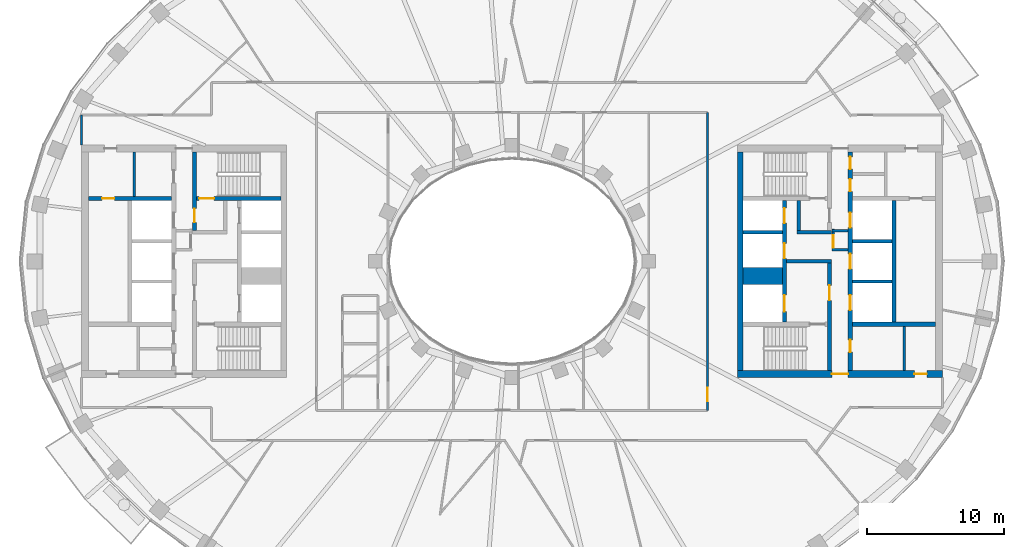
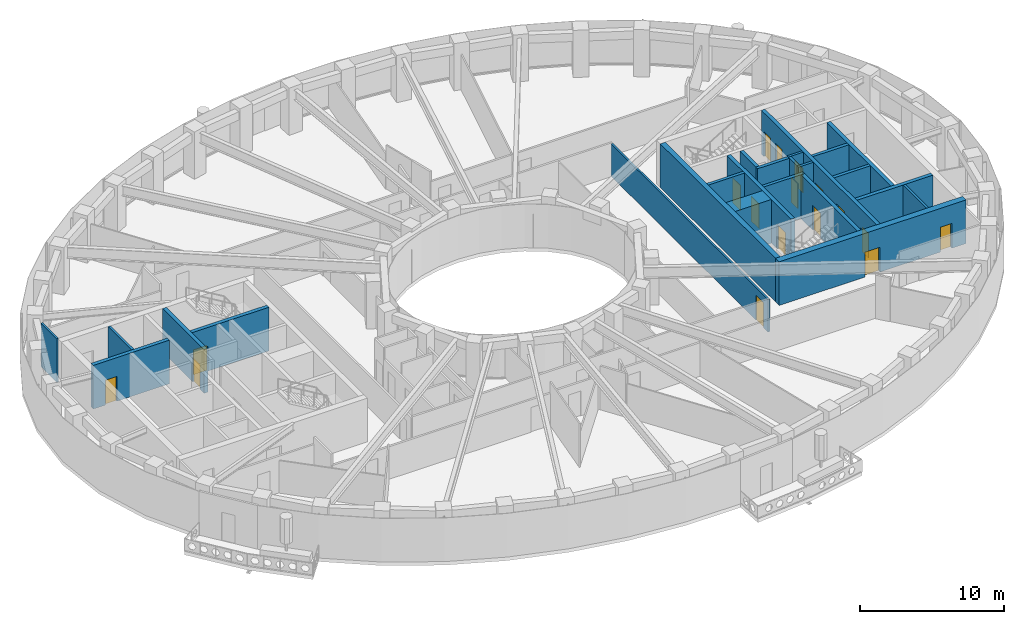
# One storey, part 5 of 16: 24 walls, 17 doors, 17 openings.
"""IFC4 building model written with IfcOpenShell, lengths in metres."""

from ifc_helpers import new_model, si_unit, direction, frame, frame_2d, origin, place, context, subcontext, project, spatial, rectangle, extrude, material, layer, layer_set, type_object, element, fill, save


model = new_model("IFC4")

# Units and contexts
model_context = context("Model", 3, precision=1e-05, world=origin(), true_north=direction((0.0, 1.0)))
body_context = subcontext(model_context, "Body", "Model", "MODEL_VIEW")
ifc_project = project(units=[si_unit("LENGTHUNIT", "METRE"), si_unit("AREAUNIT", "SQUARE_METRE"), si_unit("VOLUMEUNIT", "CUBIC_METRE"), si_unit("PLANEANGLEUNIT", "RADIAN"), si_unit("MASSUNIT", "GRAM", prefix="KILO")], contexts=[model_context])

# Site, building, storey
site_placement = place(None, origin())
site = spatial("IfcSite", under=ifc_project, at=site_placement, CompositionType="ELEMENT")
building_placement = place(site_placement, origin())
building = spatial("IfcBuilding", under=site, at=building_placement, Name="Noorbagh Ring Tower", CompositionType="ELEMENT")
storey_placement = place(building_placement, frame((0.0, 0.0, 257.5)))
storey = spatial("IfcBuildingStorey", under=building, at=storey_placement, Name="L54", CompositionType="ELEMENT", Elevation=257.5)

# Walls
ifc_material_1 = material(Name="Gypsum board on steel studs", Category="steel")
ifc_layer_1 = layer(ifc_material_1, 0.199951171875)
ifc_layer_set_1 = layer_set([ifc_layer_1], Name="Gypsum board on steel studs")
wall_type_1 = type_object("IfcWallType", Name="CORE-PARTITION-200", PredefinedType="PARTITIONING", material=ifc_layer_set_1)
wall_1_placement = place(storey_placement, frame((-27.64990234375, 4.75, 0.0), z_axis=(0.0, 0.0, 1.0), x_axis=(0.0, 1.0, 0.0)))
element("IfcWall", 1, at=wall_1_placement, inside=storey, type_object=wall_type_1, Name="Core partition W", PredefinedType="PARTITIONING", context=body_context, shape_type="SweptSolid", body=[
    extrude(rectangle(XDim=3.25, YDim=0.199951171875, at=frame_2d((1.625, 0.0))), origin(), (0.0, 0.0, 1.0), 3.699951171875),
])
for number, where, z_axis, x_axis, name in (
    (2, (23.39990234375, 0.85009765625, 0.0), (0.0, 0.0, 1.0), (1.0, 0.0, 0.0), "Core partition E"),
    (3, (23.39990234375, 2.25, 0.0), (0.0, 0.0, 1.0), (1.0, 0.0, 0.0), "Core partition E"),
):
    element("IfcWall", number, at=place(storey_placement, frame(where, z_axis=z_axis, x_axis=x_axis)), inside=storey, type_object=wall_type_1, Name=name, PredefinedType="PARTITIONING", context=body_context, shape_type="SweptSolid", body=[
        extrude(rectangle(XDim=1.2001953125, YDim=0.199951171875, at=frame_2d((0.60009765625, 0.0))), origin(), (0.0, 0.0, 1.0), 3.699951171875),
    ])

# Wall, opening, door
wall_2_placement = place(storey_placement, frame((23.5, 0.75, 0.0), z_axis=(0.0, 0.0, 1.0), x_axis=(0.0, 1.0, 0.0)))
wall_2 = element("IfcWall", 4, at=wall_2_placement, inside=storey, type_object=wall_type_1, Name="Core partition E", PredefinedType="PARTITIONING", context=body_context, shape_type="SweptSolid", body=[
    extrude(rectangle(XDim=1.60009765625, YDim=0.199951171875, at=frame_2d((0.800048828125, 0.0))), origin(), (0.0, 0.0, 1.0), 3.699951171875),
])
opening_1_placement = place(wall_2_placement, frame((0.25, 0.0, 0.0)))
opening_1 = element("IfcOpeningElement", 5, at=opening_1_placement, cuts=wall_2, Name="Opening L54-CE18", PredefinedType="OPENING", context=body_context, shape_type="SweptSolid", body=[
    extrude(rectangle(XDim=0.89990234375, YDim=2.10009765625, at=frame_2d((0.449951171875, 1.050048828125))), frame((0.0, 0.10986328125, 0.0), z_axis=(0.0, -1.0, 0.0), x_axis=(1.0, 0.0, 0.0)), (0.0, 0.0, 1.0), 0.219970703125),
])
ifc_material_2 = material(Name="Steel door leaf", Category="steel")
door_type_1 = type_object("IfcDoorType", Name="CORE-DOOR-DROOM", OperationType="SINGLE_SWING_LEFT", PredefinedType="DOOR", material=ifc_material_2)
door_1_placement = place(opening_1_placement, origin())
door_1 = element("IfcDoor", 6, at=door_1_placement, inside=storey, type_object=door_type_1, Name="Core room door L54-CE18", OperationType="SINGLE_SWING_LEFT", OverallHeight=2.10009765625, OverallWidth=0.89990234375, PredefinedType="DOOR", context=body_context, shape_type="SweptSolid", body=[
    extrude(rectangle(XDim=0.89990234375, YDim=2.10009765625, at=frame_2d((0.449951171875, 1.050048828125))), frame((0.0, 0.02490234375, 0.0), z_axis=(0.0, -1.0, 0.0), x_axis=(1.0, 0.0, 0.0)), (0.0, 0.0, 1.0), 0.050048828125),
])
fill(opening_1, door_1)

# Walls
wall_3_placement = place(storey_placement, frame((28.699951171875, -8.0, 0.0), z_axis=(0.0, 0.0, 1.0), x_axis=(0.0, 1.0, 0.0)))
element("IfcWall", 7, at=wall_3_placement, inside=storey, type_object=wall_type_1, Name="Core partition E", PredefinedType="PARTITIONING", context=body_context, shape_type="SweptSolid", body=[
    extrude(rectangle(XDim=3.25, YDim=0.199951171875, at=frame_2d((1.625, 0.0))), origin(), (0.0, 0.0, 1.0), 3.699951171875),
])
ifc_material_3 = material(Name="Concrete C60/75", Category="concrete")
ifc_layer_2 = layer(ifc_material_3, 1.25)
ifc_layer_set_2 = layer_set([ifc_layer_2], Name="Concrete C60/75")
wall_type_2 = type_object("IfcWallType", Name="CORE-WALL-1250-C60-75-EI120", PredefinedType="SHEAR", material=ifc_layer_set_2)
wall_4_placement = place(storey_placement, frame((16.89990234375, -1.074951171875, 0.0), z_axis=(0.0, 0.0, 1.0), x_axis=(1.0, 0.0, 0.0)))
element("IfcWall", 8, at=wall_4_placement, inside=storey, type_object=wall_type_2, Name="Core wall E", PredefinedType="SHEAR", context=body_context, shape_type="SweptSolid", body=[
    extrude(rectangle(XDim=2.900146484375, YDim=1.25, at=frame_2d((1.4501953125, 0.0))), origin(), (0.0, 0.0, 1.0), 3.699951171875),
])
ifc_material_4 = material(Name="Concrete C60/75", Category="concrete")
ifc_layer_3 = layer(ifc_material_4, 0.25)
ifc_layer_set_3 = layer_set([ifc_layer_3], Name="Concrete C60/75")
wall_type_3 = type_object("IfcWallType", Name="CORE-WALL-250-C60-75-EI120", PredefinedType="SHEAR", material=ifc_layer_set_3)
for number, where, z_axis, x_axis, name in (
    (9, (16.89990234375, 2.125, 0.0), (0.0, 0.0, 1.0), (1.0, 0.0, 0.0), "Core wall E"),
    (10, (24.89990234375, -1.47509765625, 0.0), (0.0, 0.0, 1.0), (1.0, 0.0, 0.0), "Core wall E"),
    (11, (24.89990234375, 1.47509765625, 0.0), (0.0, 0.0, 1.0), (1.0, 0.0, 0.0), "Core wall E"),
):
    element("IfcWall", number, at=place(storey_placement, frame(where, z_axis=z_axis, x_axis=x_axis)), inside=storey, type_object=wall_type_3, Name=name, PredefinedType="SHEAR", context=body_context, shape_type="SweptSolid", body=[
        extrude(rectangle(XDim=2.900146484375, YDim=0.25, at=frame_2d((1.4501953125, 0.0))), origin(), (0.0, 0.0, 1.0), 3.699951171875),
    ])
ifc_material_5 = material(Name="Concrete C60/75", Category="concrete")
ifc_layer_4 = layer(ifc_material_5, 0.25)
ifc_layer_set_4 = layer_set([ifc_layer_4], Name="Concrete C60/75")
wall_type_4 = type_object("IfcWallType", Name="CORE-WALL-250-C60-75-EI240", PredefinedType="SHEAR", material=ifc_layer_set_4)
wall_5_placement = place(storey_placement, frame((20.10009765625, 0.0, 0.0), z_axis=(0.0, 0.0, 1.0), x_axis=(1.0, 0.0, 0.0)))
element("IfcWall", 12, at=wall_5_placement, inside=storey, type_object=wall_type_4, Name="Core wall E", PredefinedType="SHEAR", context=body_context, shape_type="SweptSolid", body=[
    extrude(rectangle(XDim=3.27978515625, YDim=0.25, at=frame_2d((1.639892578125, 0.0))), origin(), (0.0, 0.0, 1.0), 3.699951171875),
])
wall_6_placement = place(storey_placement, frame((20.85009765625, 2.125, 0.0), z_axis=(0.0, 0.0, 1.0), x_axis=(1.0, 0.0, 0.0)))
element("IfcWall", 13, at=wall_6_placement, inside=storey, type_object=wall_type_4, Name="Core wall E", PredefinedType="SHEAR", context=body_context, shape_type="SweptSolid", body=[
    extrude(rectangle(XDim=2.52978515625, YDim=0.25, at=frame_2d((1.264892578125, 0.0))), origin(), (0.0, 0.0, 1.0), 3.699951171875),
])
wall_7_placement = place(storey_placement, frame((20.97509765625, 2.25, 0.0), z_axis=(0.0, 0.0, 1.0), x_axis=(0.0, 1.0, 0.0)))
element("IfcWall", 14, at=wall_7_placement, inside=storey, type_object=wall_type_4, Name="Core wall E", PredefinedType="SHEAR", context=body_context, shape_type="SweptSolid", body=[
    extrude(rectangle(XDim=2.199951171875, YDim=0.25, at=frame_2d((1.10009765625, 0.0))), origin(), (0.0, 0.0, 1.0), 3.699951171875),
])
ifc_material_6 = material(Name="Concrete C60/75", Category="concrete")
ifc_layer_5 = layer(ifc_material_6, 0.300048828125)
ifc_layer_set_5 = layer_set([ifc_layer_5], Name="Concrete C60/75")
wall_type_5 = type_object("IfcWallType", Name="CORE-WALL-300-C60-75-EI120", PredefinedType="SHEAR", material=ifc_layer_set_5)
wall_8_placement = place(storey_placement, frame((27.949951171875, -4.449951171875, 0.0), z_axis=(0.0, 0.0, 1.0), x_axis=(0.0, 1.0, 0.0)))
element("IfcWall", 15, at=wall_8_placement, inside=storey, type_object=wall_type_5, Name="Core wall E", PredefinedType="SHEAR", context=body_context, shape_type="SweptSolid", body=[
    extrude(rectangle(XDim=8.89990234375, YDim=0.300048828125, at=frame_2d((4.449951171875, 0.0))), origin(), (0.0, 0.0, 1.0), 3.699951171875),
])

# Wall, openings, doors
wall_9_placement = place(storey_placement, frame((19.949951171875, -4.449951171875, 0.0), z_axis=(0.0, 0.0, 1.0), x_axis=(0.0, 1.0, 0.0)))
wall_9 = element("IfcWall", 16, at=wall_9_placement, inside=storey, type_object=wall_type_5, Name="Core wall E", PredefinedType="SHEAR", context=body_context, shape_type="SweptSolid", body=[
    extrude(rectangle(XDim=8.89990234375, YDim=0.300048828125, at=frame_2d((4.449951171875, 0.0))), origin(), (0.0, 0.0, 1.0), 3.699951171875),
])
opening_2_placement = place(wall_9_placement, frame((0.77490234375, 0.0, 0.0)))
opening_2 = element("IfcOpeningElement", 17, at=opening_2_placement, cuts=wall_9, Name="Opening L54-CE01", PredefinedType="OPENING", context=body_context, shape_type="SweptSolid", body=[
    extrude(rectangle(XDim=1.199951171875, YDim=2.10009765625, at=frame_2d((0.60009765625, 1.050048828125))), frame((0.0, 0.16015625, 0.0), z_axis=(0.0, -1.0, 0.0), x_axis=(1.0, 0.0, 0.0)), (0.0, 0.0, 1.0), 0.320068359375),
])
opening_3_placement = place(wall_9_placement, frame((4.675048828125, 0.0, 0.0)))
opening_3 = element("IfcOpeningElement", 18, at=opening_3_placement, cuts=wall_9, Name="Opening L54-CE02", PredefinedType="OPENING", context=body_context, shape_type="SweptSolid", body=[
    extrude(rectangle(XDim=1.10009765625, YDim=2.10009765625, at=frame_2d((0.550048828125, 1.050048828125))), frame((0.0, 0.16015625, 0.0), z_axis=(0.0, -1.0, 0.0), x_axis=(1.0, 0.0, 0.0)), (0.0, 0.0, 1.0), 0.320068359375),
])
opening_4_placement = place(wall_9_placement, frame((7.25, 0.0, 0.0)))
opening_4 = element("IfcOpeningElement", 19, at=opening_4_placement, cuts=wall_9, Name="Opening L54-CE03", PredefinedType="OPENING", context=body_context, shape_type="SweptSolid", body=[
    extrude(rectangle(XDim=1.10009765625, YDim=2.10009765625, at=frame_2d((0.550048828125, 1.050048828125))), frame((0.0, 0.16015625, 0.0), z_axis=(0.0, -1.0, 0.0), x_axis=(1.0, 0.0, 0.0)), (0.0, 0.0, 1.0), 0.320068359375),
])
ifc_material_7 = material(Name="Steel door leaf", Category="steel")
door_type_2 = type_object("IfcDoorType", Name="CORE-DOOR-LD", OperationType="DOUBLE_DOOR_SLIDING", PredefinedType="DOOR", material=ifc_material_7)
door_2_placement = place(opening_3_placement, origin())
door_2 = element("IfcDoor", 20, at=door_2_placement, inside=storey, type_object=door_type_2, Name="Landing door HR7 L54-CE02", OperationType="DOUBLE_DOOR_SLIDING", OverallHeight=2.10009765625, OverallWidth=1.10009765625, PredefinedType="DOOR", context=body_context, shape_type="SweptSolid", body=[
    extrude(rectangle(XDim=1.10009765625, YDim=2.10009765625, at=frame_2d((0.550048828125, 1.050048828125))), frame((0.0, 0.02490234375, 0.0), z_axis=(0.0, -1.0, 0.0), x_axis=(1.0, 0.0, 0.0)), (0.0, 0.0, 1.0), 0.050048828125),
])
fill(opening_3, door_2)
door_3_placement = place(opening_4_placement, origin())
door_3 = element("IfcDoor", 21, at=door_3_placement, inside=storey, type_object=door_type_2, Name="Landing door HR8 L54-CE03", OperationType="DOUBLE_DOOR_SLIDING", OverallHeight=2.10009765625, OverallWidth=1.10009765625, PredefinedType="DOOR", context=body_context, shape_type="SweptSolid", body=[
    extrude(rectangle(XDim=1.10009765625, YDim=2.10009765625, at=frame_2d((0.550048828125, 1.050048828125))), frame((0.0, 0.02490234375, 0.0), z_axis=(0.0, -1.0, 0.0), x_axis=(1.0, 0.0, 0.0)), (0.0, 0.0, 1.0), 0.050048828125),
])
fill(opening_4, door_3)
ifc_material_8 = material(Name="Steel door leaf", Category="steel")
door_type_3 = type_object("IfcDoorType", Name="CORE-DOOR-LDW", OperationType="DOUBLE_DOOR_SLIDING", PredefinedType="DOOR", material=ifc_material_8)
door_4_placement = place(opening_2_placement, origin())
door_4 = element("IfcDoor", 22, at=door_4_placement, inside=storey, type_object=door_type_3, Name="Landing door FF2 L54-CE01", OperationType="DOUBLE_DOOR_SLIDING", OverallHeight=2.10009765625, OverallWidth=1.199951171875, PredefinedType="DOOR", context=body_context, shape_type="SweptSolid", body=[
    extrude(rectangle(XDim=1.199951171875, YDim=2.10009765625, at=frame_2d((0.60009765625, 1.050048828125))), frame((0.0, 0.02490234375, 0.0), z_axis=(0.0, -1.0, 0.0), x_axis=(1.0, 0.0, 0.0)), (0.0, 0.0, 1.0), 0.050048828125),
])
fill(opening_2, door_4)

wall_10_placement = place(storey_placement, frame((24.75, -8.0, 0.0), z_axis=(0.0, 0.0, 1.0), x_axis=(0.0, 1.0, 0.0)))
wall_10 = element("IfcWall", 23, at=wall_10_placement, inside=storey, type_object=wall_type_5, Name="Core wall E", PredefinedType="SHEAR", context=body_context, shape_type="SweptSolid", body=[
    extrude(rectangle(XDim=16.0, YDim=0.300048828125, at=frame_2d((8.0, 0.0))), origin(), (0.0, 0.0, 1.0), 3.699951171875),
])
opening_5_placement = place(wall_10_placement, frame((4.425048828125, 0.0, 0.0)))
opening_5 = element("IfcOpeningElement", 24, at=opening_5_placement, cuts=wall_10, Name="Opening L54-CE04", PredefinedType="OPENING", context=body_context, shape_type="SweptSolid", body=[
    extrude(rectangle(XDim=1.10009765625, YDim=2.10009765625, at=frame_2d((0.550048828125, 1.050048828125))), frame((0.0, 0.16015625, 0.0), z_axis=(0.0, -1.0, 0.0), x_axis=(1.0, 0.0, 0.0)), (0.0, 0.0, 1.0), 0.320068359375),
])
opening_6_placement = place(wall_10_placement, frame((7.449951171875, 0.0, 0.0)))
opening_6 = element("IfcOpeningElement", 25, at=opening_6_placement, cuts=wall_10, Name="Opening L54-CE05", PredefinedType="OPENING", context=body_context, shape_type="SweptSolid", body=[
    extrude(rectangle(XDim=1.10009765625, YDim=2.10009765625, at=frame_2d((0.550048828125, 1.050048828125))), frame((0.0, 0.16015625, 0.0), z_axis=(0.0, -1.0, 0.0), x_axis=(1.0, 0.0, 0.0)), (0.0, 0.0, 1.0), 0.320068359375),
])
opening_7_placement = place(wall_10_placement, frame((10.47509765625, 0.0, 0.0)))
opening_7 = element("IfcOpeningElement", 26, at=opening_7_placement, cuts=wall_10, Name="Opening L54-CE06", PredefinedType="OPENING", context=body_context, shape_type="SweptSolid", body=[
    extrude(rectangle(XDim=1.10009765625, YDim=2.10009765625, at=frame_2d((0.550048828125, 1.050048828125))), frame((0.0, 0.16015625, 0.0), z_axis=(0.0, -1.0, 0.0), x_axis=(1.0, 0.0, 0.0)), (0.0, 0.0, 1.0), 0.320068359375),
])
opening_8_placement = place(wall_10_placement, frame((13.125, 0.0, 0.0)))
opening_8 = element("IfcOpeningElement", 27, at=opening_8_placement, cuts=wall_10, Name="Opening L54-CE13", PredefinedType="OPENING", context=body_context, shape_type="SweptSolid", body=[
    extrude(rectangle(XDim=0.89990234375, YDim=2.10009765625, at=frame_2d((0.449951171875, 1.050048828125))), frame((0.0, 0.16015625, 0.0), z_axis=(0.0, -1.0, 0.0), x_axis=(1.0, 0.0, 0.0)), (0.0, 0.0, 1.0), 0.320068359375),
])
opening_9_placement = place(wall_10_placement, frame((14.75, 0.0, 0.0)))
opening_9 = element("IfcOpeningElement", 28, at=opening_9_placement, cuts=wall_10, Name="Opening L54-CE14", PredefinedType="OPENING", context=body_context, shape_type="SweptSolid", body=[
    extrude(rectangle(XDim=0.89990234375, YDim=2.10009765625, at=frame_2d((0.449951171875, 1.050048828125))), frame((0.0, 0.16015625, 0.0), z_axis=(0.0, -1.0, 0.0), x_axis=(1.0, 0.0, 0.0)), (0.0, 0.0, 1.0), 0.320068359375),
])
opening_10_placement = place(wall_10_placement, frame((1.35009765625, 0.0, 0.0)))
opening_10 = element("IfcOpeningElement", 29, at=opening_10_placement, cuts=wall_10, Name="Opening L54-CE16", PredefinedType="OPENING", context=body_context, shape_type="SweptSolid", body=[
    extrude(rectangle(XDim=0.89990234375, YDim=2.10009765625, at=frame_2d((0.449951171875, 1.050048828125))), frame((0.0, 0.16015625, 0.0), z_axis=(0.0, -1.0, 0.0), x_axis=(1.0, 0.0, 0.0)), (0.0, 0.0, 1.0), 0.320068359375),
])
door_5_placement = place(opening_8_placement, origin())
door_5 = element("IfcDoor", 30, at=door_5_placement, inside=storey, type_object=door_type_1, Name="Core room door L54-CE13", OperationType="SINGLE_SWING_RIGHT", OverallHeight=2.10009765625, OverallWidth=0.89990234375, PredefinedType="DOOR", context=body_context, shape_type="SweptSolid", body=[
    extrude(rectangle(XDim=0.89990234375, YDim=2.10009765625, at=frame_2d((0.449951171875, 1.050048828125))), frame((0.0, 0.02490234375, 0.0), z_axis=(0.0, -1.0, 0.0), x_axis=(1.0, 0.0, 0.0)), (0.0, 0.0, 1.0), 0.050048828125),
])
fill(opening_8, door_5)
door_6_placement = place(opening_9_placement, origin())
door_6 = element("IfcDoor", 31, at=door_6_placement, inside=storey, type_object=door_type_1, Name="Core room door L54-CE14", OperationType="SINGLE_SWING_LEFT", OverallHeight=2.10009765625, OverallWidth=0.89990234375, PredefinedType="DOOR", context=body_context, shape_type="SweptSolid", body=[
    extrude(rectangle(XDim=0.89990234375, YDim=2.10009765625, at=frame_2d((0.449951171875, 1.050048828125))), frame((0.0, 0.02490234375, 0.0), z_axis=(0.0, -1.0, 0.0), x_axis=(1.0, 0.0, 0.0)), (0.0, 0.0, 1.0), 0.050048828125),
])
fill(opening_9, door_6)
door_7_placement = place(opening_10_placement, origin())
door_7 = element("IfcDoor", 32, at=door_7_placement, inside=storey, type_object=door_type_1, Name="Core room door L54-CE16", OperationType="SINGLE_SWING_RIGHT", OverallHeight=2.10009765625, OverallWidth=0.89990234375, PredefinedType="DOOR", context=body_context, shape_type="SweptSolid", body=[
    extrude(rectangle(XDim=0.89990234375, YDim=2.10009765625, at=frame_2d((0.449951171875, 1.050048828125))), frame((0.0, 0.02490234375, 0.0), z_axis=(0.0, -1.0, 0.0), x_axis=(1.0, 0.0, 0.0)), (0.0, 0.0, 1.0), 0.050048828125),
])
fill(opening_10, door_7)
door_8_placement = place(opening_5_placement, origin())
door_8 = element("IfcDoor", 33, at=door_8_placement, inside=storey, type_object=door_type_2, Name="Landing door HR9 L54-CE04", OperationType="DOUBLE_DOOR_SLIDING", OverallHeight=2.10009765625, OverallWidth=1.10009765625, PredefinedType="DOOR", context=body_context, shape_type="SweptSolid", body=[
    extrude(rectangle(XDim=1.10009765625, YDim=2.10009765625, at=frame_2d((0.550048828125, 1.050048828125))), frame((0.0, 0.02490234375, 0.0), z_axis=(0.0, -1.0, 0.0), x_axis=(1.0, 0.0, 0.0)), (0.0, 0.0, 1.0), 0.050048828125),
])
fill(opening_5, door_8)
door_9_placement = place(opening_6_placement, origin())
door_9 = element("IfcDoor", 34, at=door_9_placement, inside=storey, type_object=door_type_2, Name="Landing door HR10 L54-CE05", OperationType="DOUBLE_DOOR_SLIDING", OverallHeight=2.10009765625, OverallWidth=1.10009765625, PredefinedType="DOOR", context=body_context, shape_type="SweptSolid", body=[
    extrude(rectangle(XDim=1.10009765625, YDim=2.10009765625, at=frame_2d((0.550048828125, 1.050048828125))), frame((0.0, 0.02490234375, 0.0), z_axis=(0.0, -1.0, 0.0), x_axis=(1.0, 0.0, 0.0)), (0.0, 0.0, 1.0), 0.050048828125),
])
fill(opening_6, door_9)
door_10_placement = place(opening_7_placement, origin())
door_10 = element("IfcDoor", 35, at=door_10_placement, inside=storey, type_object=door_type_2, Name="Landing door HR11 L54-CE06", OperationType="DOUBLE_DOOR_SLIDING", OverallHeight=2.10009765625, OverallWidth=1.10009765625, PredefinedType="DOOR", context=body_context, shape_type="SweptSolid", body=[
    extrude(rectangle(XDim=1.10009765625, YDim=2.10009765625, at=frame_2d((0.550048828125, 1.050048828125))), frame((0.0, 0.02490234375, 0.0), z_axis=(0.0, -1.0, 0.0), x_axis=(1.0, 0.0, 0.0)), (0.0, 0.0, 1.0), 0.050048828125),
])
fill(opening_7, door_10)

# Wall, opening, door
ifc_material_9 = material(Name="Concrete C60/75", Category="concrete")
ifc_layer_6 = layer(ifc_material_9, 0.300048828125)
ifc_layer_set_6 = layer_set([ifc_layer_6], Name="Concrete C60/75")
wall_type_6 = type_object("IfcWallType", Name="CORE-WALL-300-C60-75-EI240", PredefinedType="SHEAR", material=ifc_layer_set_6)
wall_11_placement = place(storey_placement, frame((-24.89990234375, 4.60009765625, 0.0), z_axis=(0.0, 0.0, 1.0), x_axis=(-1.0, 0.0, 0.0)))
wall_11 = element("IfcWall", 36, at=wall_11_placement, inside=storey, type_object=wall_type_6, Name="Core wall W", PredefinedType="SHEAR", context=body_context, shape_type="SweptSolid", body=[
    extrude(rectangle(XDim=6.10009765625, YDim=0.300048828125, at=frame_2d((3.050048828125, 0.0))), origin(), (0.0, 0.0, 1.0), 3.699951171875),
])
opening_11_placement = place(wall_11_placement, frame((4.199951171875, 0.0, 0.0)))
opening_11 = element("IfcOpeningElement", 37, at=opening_11_placement, cuts=wall_11, Name="Opening L54-CW18", PredefinedType="OPENING", context=body_context, shape_type="SweptSolid", body=[
    extrude(rectangle(XDim=0.89990234375, YDim=2.10009765625, at=frame_2d((0.449951171875, 1.050048828125))), frame((0.0, 0.16015625, 0.0), z_axis=(0.0, -1.0, 0.0), x_axis=(1.0, 0.0, 0.0)), (0.0, 0.0, 1.0), 0.320068359375),
])
door_11_placement = place(opening_11_placement, origin())
door_11 = element("IfcDoor", 38, at=door_11_placement, inside=storey, type_object=door_type_1, Name="Core room door L54-CW18", OperationType="SINGLE_SWING_LEFT", OverallHeight=2.10009765625, OverallWidth=0.89990234375, PredefinedType="DOOR", context=body_context, shape_type="SweptSolid", body=[
    extrude(rectangle(XDim=0.89990234375, YDim=2.10009765625, at=frame_2d((0.449951171875, 1.050048828125))), frame((0.0, 0.02490234375, 0.0), z_axis=(0.0, -1.0, 0.0), x_axis=(1.0, 0.0, 0.0)), (0.0, 0.0, 1.0), 0.050048828125),
])
fill(opening_11, door_11)

wall_12_placement = place(storey_placement, frame((-23.22998046875, 2.25, 0.0), z_axis=(0.0, 0.0, 1.0), x_axis=(0.0, 1.0, 0.0)))
wall_12 = element("IfcWall", 39, at=wall_12_placement, inside=storey, type_object=wall_type_6, Name="Core wall W", PredefinedType="SHEAR", context=body_context, shape_type="SweptSolid", body=[
    extrude(rectangle(XDim=5.75, YDim=0.300048828125, at=frame_2d((2.875, 0.0))), origin(), (0.0, 0.0, 1.0), 3.699951171875),
])
opening_12_placement = place(wall_12_placement, frame((0.60009765625, 0.0, 0.0)))
opening_12 = element("IfcOpeningElement", 40, at=opening_12_placement, cuts=wall_12, Name="Opening L54-CW09", PredefinedType="OPENING", context=body_context, shape_type="SweptSolid", body=[
    extrude(rectangle(XDim=1.0, YDim=2.10009765625, at=frame_2d((0.5, 1.050048828125))), frame((0.0, 0.16015625, 0.0), z_axis=(0.0, -1.0, 0.0), x_axis=(1.0, 0.0, 0.0)), (0.0, 0.0, 1.0), 0.320068359375),
])
ifc_material_10 = material(Name="Steel door leaf", Category="steel")
door_type_4 = type_object("IfcDoorType", Name="CORE-DOOR-DVEST", OperationType="SINGLE_SWING_LEFT", PredefinedType="DOOR", material=ifc_material_10)
door_12_placement = place(opening_12_placement, origin())
door_12 = element("IfcDoor", 41, at=door_12_placement, inside=storey, type_object=door_type_4, Name="Stair vestibule door L54-CW09", OperationType="SINGLE_SWING_LEFT", OverallHeight=2.10009765625, OverallWidth=1.0, PredefinedType="DOOR", context=body_context, shape_type="SweptSolid", body=[
    extrude(rectangle(XDim=1.0, YDim=2.10009765625, at=frame_2d((0.5, 1.050048828125))), frame((0.0, 0.02490234375, 0.0), z_axis=(0.0, -1.0, 0.0), x_axis=(1.0, 0.0, 0.0)), (0.0, 0.0, 1.0), 0.050048828125),
])
fill(opening_12, door_12)

wall_13_placement = place(storey_placement, frame((-16.89990234375, 4.60009765625, 0.0), z_axis=(0.0, 0.0, 1.0), x_axis=(-1.0, 0.0, 0.0)))
wall_13 = element("IfcWall", 42, at=wall_13_placement, inside=storey, type_object=wall_type_6, Name="Core wall W", PredefinedType="SHEAR", context=body_context, shape_type="SweptSolid", body=[
    extrude(rectangle(XDim=6.18017578125, YDim=0.300048828125, at=frame_2d((3.090087890625, 0.0))), origin(), (0.0, 0.0, 1.0), 3.699951171875),
])
opening_13_placement = place(wall_13_placement, frame((4.89990234375, 0.0, 0.0)))
opening_13 = element("IfcOpeningElement", 43, at=opening_13_placement, cuts=wall_13, Name="Opening L54-CW06", PredefinedType="OPENING", context=body_context, shape_type="SweptSolid", body=[
    extrude(rectangle(XDim=1.10009765625, YDim=2.10009765625, at=frame_2d((0.550048828125, 1.050048828125))), frame((0.0, 0.16015625, 0.0), z_axis=(0.0, -1.0, 0.0), x_axis=(1.0, 0.0, 0.0)), (0.0, 0.0, 1.0), 0.320068359375),
])
ifc_material_11 = material(Name="Steel door leaf", Category="steel")
door_type_5 = type_object("IfcDoorType", Name="CORE-DOOR-DSTAIR", OperationType="SINGLE_SWING_LEFT", PredefinedType="DOOR", material=ifc_material_11)
door_13_placement = place(opening_13_placement, origin())
door_13 = element("IfcDoor", 44, at=door_13_placement, inside=storey, type_object=door_type_5, Name="Stair door ST1 L54-CW06", OperationType="SINGLE_SWING_RIGHT", OverallHeight=2.10009765625, OverallWidth=1.10009765625, PredefinedType="DOOR", context=body_context, shape_type="SweptSolid", body=[
    extrude(rectangle(XDim=1.10009765625, YDim=2.10009765625, at=frame_2d((0.550048828125, 1.050048828125))), frame((0.0, 0.02490234375, 0.0), z_axis=(0.0, -1.0, 0.0), x_axis=(1.0, 0.0, 0.0)), (0.0, 0.0, 1.0), 0.050048828125),
])
fill(opening_13, door_13)

# Wall
wall_14_placement = place(storey_placement, frame((24.89990234375, -4.60009765625, 0.0), z_axis=(0.0, 0.0, 1.0), x_axis=(1.0, 0.0, 0.0)))
element("IfcWall", 45, at=wall_14_placement, inside=storey, type_object=wall_type_6, Name="Core wall E", PredefinedType="SHEAR", context=body_context, shape_type="SweptSolid", body=[
    extrude(rectangle(XDim=6.10009765625, YDim=0.300048828125, at=frame_2d((3.050048828125, 0.0))), origin(), (0.0, 0.0, 1.0), 3.699951171875),
])

# Wall, opening, door
wall_15_placement = place(storey_placement, frame((23.22998046875, -8.0, 0.0), z_axis=(0.0, 0.0, 1.0), x_axis=(0.0, 1.0, 0.0)))
wall_15 = element("IfcWall", 46, at=wall_15_placement, inside=storey, type_object=wall_type_6, Name="Core wall E", PredefinedType="SHEAR", context=body_context, shape_type="SweptSolid", body=[
    extrude(rectangle(XDim=7.875, YDim=0.300048828125, at=frame_2d((3.9375, 0.0))), origin(), (0.0, 0.0, 1.0), 3.699951171875),
])
opening_14_placement = place(wall_15_placement, frame((5.14990234375, 0.0, 0.0)))
opening_14 = element("IfcOpeningElement", 47, at=opening_14_placement, cuts=wall_15, Name="Opening L54-CE09", PredefinedType="OPENING", context=body_context, shape_type="SweptSolid", body=[
    extrude(rectangle(XDim=1.10009765625, YDim=2.10009765625, at=frame_2d((0.550048828125, 1.050048828125))), frame((0.0, 0.16015625, 0.0), z_axis=(0.0, -1.0, 0.0), x_axis=(1.0, 0.0, 0.0)), (0.0, 0.0, 1.0), 0.320068359375),
])
ifc_material_12 = material(Name="Steel door leaf", Category="steel")
door_type_6 = type_object("IfcDoorType", Name="CORE-DOOR-DFF", OperationType="SINGLE_SWING_LEFT", PredefinedType="DOOR", material=ifc_material_12)
door_14_placement = place(opening_14_placement, origin())
door_14 = element("IfcDoor", 48, at=door_14_placement, inside=storey, type_object=door_type_6, Name="Firefighting lobby door L54-CE09", OperationType="SINGLE_SWING_RIGHT", OverallHeight=2.10009765625, OverallWidth=1.10009765625, PredefinedType="DOOR", context=body_context, shape_type="SweptSolid", body=[
    extrude(rectangle(XDim=1.10009765625, YDim=2.10009765625, at=frame_2d((0.550048828125, 1.050048828125))), frame((0.0, 0.02490234375, 0.0), z_axis=(0.0, -1.0, 0.0), x_axis=(1.0, 0.0, 0.0)), (0.0, 0.0, 1.0), 0.050048828125),
])
fill(opening_14, door_14)

# Wall
ifc_material_13 = material(Name="Concrete C60/75", Category="concrete")
ifc_layer_7 = layer(ifc_material_13, 0.39990234375)
ifc_layer_set_7 = layer_set([ifc_layer_7], Name="Concrete C60/75")
wall_type_7 = type_object("IfcWallType", Name="CORE-WALL-400-C60-75-EI240", PredefinedType="SHEAR", material=ifc_layer_set_7)
wall_16_placement = place(storey_placement, frame((16.699951171875, -8.0, 0.0), z_axis=(0.0, 0.0, 1.0), x_axis=(0.0, 1.0, 0.0)))
element("IfcWall", 49, at=wall_16_placement, inside=storey, type_object=wall_type_7, Name="Core wall E", PredefinedType="SHEAR", context=body_context, shape_type="SweptSolid", body=[
    extrude(rectangle(XDim=16.0, YDim=0.39990234375, at=frame_2d((8.0, 0.0))), origin(), (0.0, 0.0, 1.0), 3.699951171875),
])

# Wall, openings, doors
ifc_material_14 = material(Name="Concrete C60/75", Category="concrete")
ifc_layer_8 = layer(ifc_material_14, 0.5)
ifc_layer_set_8 = layer_set([ifc_layer_8], Name="Concrete C60/75")
wall_type_8 = type_object("IfcWallType", Name="CORE-WALL-500-C60-75-EI240", PredefinedType="SHEAR", material=ifc_layer_set_8)
wall_17_placement = place(storey_placement, frame((16.5, -8.25, 0.0), z_axis=(0.0, 0.0, 1.0), x_axis=(1.0, 0.0, 0.0)))
wall_17 = element("IfcWall", 50, at=wall_17_placement, inside=storey, type_object=wall_type_8, Name="Core wall E", PredefinedType="SHEAR", context=body_context, shape_type="SweptSolid", body=[
    extrude(rectangle(XDim=15.0, YDim=0.5, at=frame_2d((7.5, 0.0))), origin(), (0.0, 0.0, 1.0), 3.699951171875),
])
opening_15_placement = place(wall_17_placement, frame((6.89990234375, 0.0, 0.0)))
opening_15 = element("IfcOpeningElement", 51, at=opening_15_placement, cuts=wall_17, Name="Opening L54-CE12", PredefinedType="OPENING", context=body_context, shape_type="SweptSolid", body=[
    extrude(rectangle(XDim=1.199951171875, YDim=2.10009765625, at=frame_2d((0.60009765625, 1.050048828125))), frame((0.0, 0.260009765625, 0.0), z_axis=(0.0, -1.0, 0.0), x_axis=(1.0, 0.0, 0.0)), (0.0, 0.0, 1.0), 0.52001953125),
])
opening_16_placement = place(wall_17_placement, frame((12.949951171875, 0.0, 0.0)))
opening_16 = element("IfcOpeningElement", 52, at=opening_16_placement, cuts=wall_17, Name="Opening L54-CE17", PredefinedType="OPENING", context=body_context, shape_type="SweptSolid", body=[
    extrude(rectangle(XDim=0.89990234375, YDim=2.10009765625, at=frame_2d((0.449951171875, 1.050048828125))), frame((0.0, 0.260009765625, 0.0), z_axis=(0.0, -1.0, 0.0), x_axis=(1.0, 0.0, 0.0)), (0.0, 0.0, 1.0), 0.52001953125),
])
door_15_placement = place(opening_16_placement, origin())
door_15 = element("IfcDoor", 53, at=door_15_placement, inside=storey, type_object=door_type_1, Name="Core room door L54-CE17", OperationType="SINGLE_SWING_RIGHT", OverallHeight=2.10009765625, OverallWidth=0.89990234375, PredefinedType="DOOR", context=body_context, shape_type="SweptSolid", body=[
    extrude(rectangle(XDim=0.89990234375, YDim=2.10009765625, at=frame_2d((0.449951171875, 1.050048828125))), frame((0.0, 0.02490234375, 0.0), z_axis=(0.0, -1.0, 0.0), x_axis=(1.0, 0.0, 0.0)), (0.0, 0.0, 1.0), 0.050048828125),
])
fill(opening_16, door_15)
ifc_material_15 = material(Name="Steel door leaf", Category="steel")
door_type_7 = type_object("IfcDoorType", Name="CORE-DOOR-PORT", OperationType="DOUBLE_DOOR_DOUBLE_SWING", PredefinedType="DOOR", material=ifc_material_15)
door_16_placement = place(opening_15_placement, origin())
door_16 = element("IfcDoor", 54, at=door_16_placement, inside=storey, type_object=door_type_7, Name="Core entrance door L54-CE12", OperationType="DOUBLE_DOOR_DOUBLE_SWING", OverallHeight=2.10009765625, OverallWidth=1.199951171875, PredefinedType="DOOR", context=body_context, shape_type="SweptSolid", body=[
    extrude(rectangle(XDim=1.199951171875, YDim=2.10009765625, at=frame_2d((0.60009765625, 1.050048828125))), frame((0.0, 0.02490234375, 0.0), z_axis=(0.0, -1.0, 0.0), x_axis=(1.0, 0.0, 0.0)), (0.0, 0.0, 1.0), 0.050048828125),
])
fill(opening_15, door_16)

# Wall
ifc_material_16 = material(Name="Gypsum board on steel studs", Category="steel")
ifc_layer_9 = layer(ifc_material_16, 0.14990234375)
ifc_layer_set_9 = layer_set([ifc_layer_9], Name="Gypsum board on steel studs")
wall_type_9 = type_object("IfcWallType", Name="CORRIDOR PARTITION 150 EI 30", PredefinedType="PARTITIONING", material=ifc_layer_set_9)
wall_18_placement = place(storey_placement, frame((-31.5, 8.5, 0.0), z_axis=(0.0, 0.0, 1.0), x_axis=(0.0, 1.0, 0.0)))
element("IfcWall", 55, at=wall_18_placement, inside=storey, type_object=wall_type_9, Name="L54/wall/P04", PredefinedType="PARTITIONING", context=body_context, shape_type="SweptSolid", body=[
    extrude(rectangle(XDim=2.199951171875, YDim=0.14990234375, at=frame_2d((1.10009765625, 0.0))), origin(), (0.0, 0.0, 1.0), 3.699951171875),
])

# Wall, opening, door
wall_19_placement = place(storey_placement, frame((14.300048828125, -10.89990234375, 0.0), z_axis=(0.0, 0.0, 1.0), x_axis=(0.0, 1.0, 0.0)))
wall_19 = element("IfcWall", 56, at=wall_19_placement, inside=storey, type_object=wall_type_9, Name="L54/wall/P51", PredefinedType="PARTITIONING", context=body_context, shape_type="SweptSolid", body=[
    extrude(rectangle(XDim=21.7998046875, YDim=0.14990234375, at=frame_2d((10.89990234375, 0.0))), origin(), (0.0, 0.0, 1.0), 2.75),
])
opening_17_placement = place(wall_19_placement, frame((0.64990234375, 0.0, 0.0)))
opening_17 = element("IfcOpeningElement", 57, at=opening_17_placement, cuts=wall_19, Name="Opening D1", PredefinedType="OPENING", context=body_context, shape_type="SweptSolid", body=[
    extrude(rectangle(XDim=1.0, YDim=2.10009765625, at=frame_2d((0.5, 1.050048828125))), frame((0.0, 0.0849609375, 0.0), z_axis=(0.0, -1.0, 0.0), x_axis=(1.0, 0.0, 0.0)), (0.0, 0.0, 1.0), 0.169921875),
])
ifc_material_17 = material(Name="Timber, painted", Category="wood")
door_type_8 = type_object("IfcDoorType", Name="DOOR 1000 X 2100 FD30", OperationType="SINGLE_SWING_LEFT", PredefinedType="DOOR", material=ifc_material_17)
door_17_placement = place(opening_17_placement, origin())
door_17 = element("IfcDoor", 58, at=door_17_placement, inside=storey, type_object=door_type_8, Name="L54-D26", OperationType="SINGLE_SWING_RIGHT", OverallHeight=2.10009765625, OverallWidth=1.0, PredefinedType="DOOR", context=body_context, shape_type="SweptSolid", body=[
    extrude(rectangle(XDim=1.0, YDim=2.10009765625, at=frame_2d((0.5, 1.050048828125))), frame((0.0, 0.02490234375, 0.0), z_axis=(0.0, -1.0, 0.0), x_axis=(1.0, 0.0, 0.0)), (0.0, 0.0, 1.0), 0.050048828125),
])
fill(opening_17, door_17)

save(model, "model.ifc")
